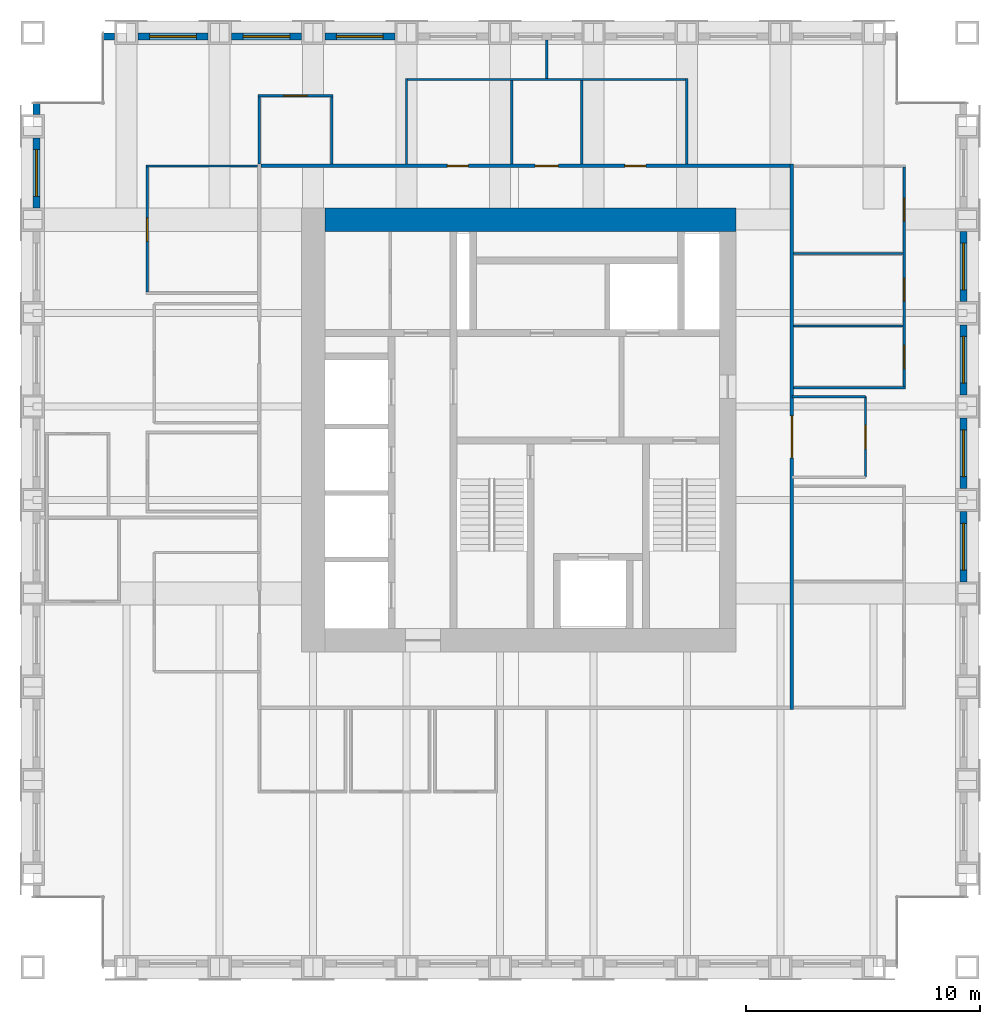
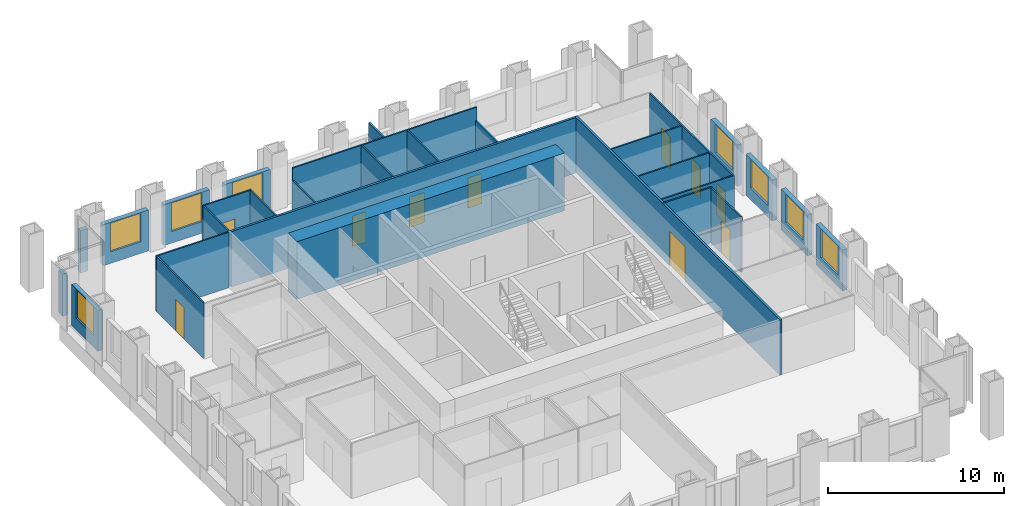
# One storey, part 10 of 13: 30 walls, 10 doors, 8 windows, 18 openings.
"""IFC4 building model written with IfcOpenShell, lengths in metres."""

from ifc_helpers import new_model, si_unit, direction, frame, frame_2d, origin, place, context, subcontext, project, spatial, rectangle, extrude, material, layer, layer_set, type_object, element, fill, save


model = new_model("IFC4")

# Units and contexts
model_context = context("Model", 3, precision=1e-05, world=origin(), true_north=direction((0.0, 1.0)))
body_context = subcontext(model_context, "Body", "Model", "MODEL_VIEW")
ifc_project = project(units=[si_unit("LENGTHUNIT", "METRE"), si_unit("AREAUNIT", "SQUARE_METRE"), si_unit("VOLUMEUNIT", "CUBIC_METRE"), si_unit("PLANEANGLEUNIT", "RADIAN"), si_unit("MASSUNIT", "GRAM", prefix="KILO")], contexts=[model_context])

# Site, building, storey
site_placement = place(None, origin())
site = spatial("IfcSite", under=ifc_project, at=site_placement, CompositionType="ELEMENT")
building_placement = place(site_placement, origin())
building = spatial("IfcBuilding", under=site, at=building_placement, Name="Rimbunsela Tower", CompositionType="ELEMENT")
storey_placement = place(building_placement, frame((0.0, 0.0, 294.199951171875)))
storey = spatial("IfcBuildingStorey", under=building, at=storey_placement, Name="L71", CompositionType="ELEMENT", Elevation=294.199951171875)

# Walls
ifc_material_1 = material(Name="Concrete fc' 80 MPa", Category="concrete")
ifc_layer_1 = layer(ifc_material_1, 1.0)
ifc_layer_set_1 = layer_set([ifc_layer_1], Name="Core wall 1000")
wall_type_1 = type_object("IfcWallType", Name="Core wall 1000", PredefinedType="SHEAR", material=ifc_layer_set_1)
wall_1_placement = place(storey_placement, frame((18.5, 36.0, -0.14990234375), z_axis=(0.0, 0.0, 1.0), x_axis=(1.0, 0.0, 0.0)))
element("IfcWall", 1, at=wall_1_placement, inside=storey, type_object=wall_type_1, Name="Core wall north", PredefinedType="SHEAR", context=body_context, shape_type="SweptSolid", body=[
    extrude(rectangle(XDim=17.60009765625, YDim=1.0, at=frame_2d((8.800048828125, 0.0))), origin(), (0.0, 0.0, 1.0), 4.0),
])
ifc_material_2 = material(Name="Gypsum board on steel studs", Category="steel")
ifc_layer_2 = layer(ifc_material_2, 0.10009765625)
ifc_layer_set_2 = layer_set([ifc_layer_2], Name="Office partition 100")
wall_type_2 = type_object("IfcWallType", Name="Office partition 100", PredefinedType="PARTITIONING", material=ifc_layer_set_2)
wall_2_placement = place(storey_placement, frame((38.574951171875, 28.800048828125, 0.0), z_axis=(0.0, 0.0, 1.0), x_axis=(1.0, 0.0, 0.0)))
element("IfcWall", 2, at=wall_2_placement, inside=storey, type_object=wall_type_2, Name="Office partition", PredefinedType="PARTITIONING", context=body_context, shape_type="SweptSolid", body=[
    extrude(rectangle(XDim=4.775146484375, YDim=0.10009765625, at=frame_2d((2.3876953125, 0.0))), origin(), (0.0, 0.0, 1.0), 3.85009765625),
])
for number, where, z_axis, x_axis, name in (
    (3, (38.574951171875, 31.449951171875, 0.0), (0.0, 0.0, 1.0), (1.0, 0.0, 0.0), "Office partition"),
    (4, (38.574951171875, 34.550048828125, 0.0), (0.0, 0.0, 1.0), (1.0, 0.0, 0.0), "Office partition"),
):
    element("IfcWall", number, at=place(storey_placement, frame(where, z_axis=z_axis, x_axis=x_axis)), inside=storey, type_object=wall_type_2, Name=name, PredefinedType="PARTITIONING", context=body_context, shape_type="SweptSolid", body=[
        extrude(rectangle(XDim=4.675048828125, YDim=0.10009765625, at=frame_2d((2.33740234375, 0.0))), origin(), (0.0, 0.0, 1.0), 3.85009765625),
    ])
wall_3_placement = place(storey_placement, frame((10.85009765625, 38.300048828125, 0.0), z_axis=(0.0, 0.0, 1.0), x_axis=(1.0, 0.0, 0.0)))
element("IfcWall", 5, at=wall_3_placement, inside=storey, type_object=wall_type_2, Name="Office partition", PredefinedType="PARTITIONING", context=body_context, shape_type="SweptSolid", body=[
    extrude(rectangle(XDim=4.77490234375, YDim=0.10009765625, at=frame_2d((2.387451171875, 0.0))), origin(), (0.0, 0.0, 1.0), 3.85009765625),
])

# Wall, opening, door
wall_4_placement = place(storey_placement, frame((15.64990234375, 41.300048828125, 0.0), z_axis=(0.0, 0.0, 1.0), x_axis=(1.0, 0.0, 0.0)))
wall_4 = element("IfcWall", 6, at=wall_4_placement, inside=storey, type_object=wall_type_2, Name="Office partition", PredefinedType="PARTITIONING", context=body_context, shape_type="SweptSolid", body=[
    extrude(rectangle(XDim=3.2001953125, YDim=0.10009765625, at=frame_2d((1.60009765625, 0.0))), origin(), (0.0, 0.0, 1.0), 3.85009765625),
])
opening_1_placement = place(wall_4_placement, frame((1.10009765625, 0.0, 0.0)))
opening_1 = element("IfcOpeningElement", 7, at=opening_1_placement, cuts=wall_4, Name="Opening D16", PredefinedType="OPENING", context=body_context, shape_type="SweptSolid", body=[
    extrude(rectangle(XDim=1.0, YDim=2.199951171875, at=frame_2d((0.5, 1.10009765625))), frame((0.0, 0.06005859375, 0.0), z_axis=(0.0, -1.0, 0.0), x_axis=(1.0, 0.0, 0.0)), (0.0, 0.0, 1.0), 0.1201171875),
])
ifc_material_3 = material(Name="Timber door", Category="wood")
door_type_1 = type_object("IfcDoorType", Name="Office door 1000", OperationType="SINGLE_SWING_LEFT", PredefinedType="DOOR", material=ifc_material_3)
door_1_placement = place(opening_1_placement, origin())
door_1 = element("IfcDoor", 8, at=door_1_placement, inside=storey, type_object=door_type_1, Name="Office door", OperationType="SINGLE_SWING_LEFT", OverallHeight=2.199951171875, OverallWidth=1.0, PredefinedType="DOOR", context=body_context, shape_type="SweptSolid", body=[
    extrude(rectangle(XDim=1.0, YDim=2.199951171875, at=frame_2d((0.5, 1.10009765625))), frame((0.0, 0.02490234375, 0.0), z_axis=(0.0, -1.0, 0.0), x_axis=(1.0, 0.0, 0.0)), (0.0, 0.0, 1.0), 0.050048828125),
])
fill(opening_1, door_1)

wall_5_placement = place(storey_placement, frame((10.89990234375, 32.89990234375, 0.0), z_axis=(0.0, 0.0, 1.0), x_axis=(0.0, 1.0, 0.0)))
wall_5 = element("IfcWall", 9, at=wall_5_placement, inside=storey, type_object=wall_type_2, Name="Office partition", PredefinedType="PARTITIONING", context=body_context, shape_type="SweptSolid", body=[
    extrude(rectangle(XDim=5.35009765625, YDim=0.10009765625, at=frame_2d((2.675048828125, 0.0))), origin(), (0.0, 0.0, 1.0), 3.85009765625),
])
opening_2_placement = place(wall_5_placement, frame((2.175048828125, 0.0, 0.0)))
opening_2 = element("IfcOpeningElement", 10, at=opening_2_placement, cuts=wall_5, Name="Opening D17", PredefinedType="OPENING", context=body_context, shape_type="SweptSolid", body=[
    extrude(rectangle(XDim=1.0, YDim=2.199951171875, at=frame_2d((0.5, 1.10009765625))), frame((0.0, 0.06005859375, 0.0), z_axis=(0.0, -1.0, 0.0), x_axis=(1.0, 0.0, 0.0)), (0.0, 0.0, 1.0), 0.1201171875),
])
ifc_material_4 = material(Name="Glazed aluminium door", Category="aluminium")
door_type_2 = type_object("IfcDoorType", Name="Meeting room door 1000 glazed", OperationType="SINGLE_SWING_RIGHT", PredefinedType="DOOR", material=ifc_material_4)
door_2_placement = place(opening_2_placement, origin())
door_2 = element("IfcDoor", 11, at=door_2_placement, inside=storey, type_object=door_type_2, Name="Meeting room door", OperationType="SINGLE_SWING_RIGHT", OverallHeight=2.199951171875, OverallWidth=1.0, PredefinedType="DOOR", context=body_context, shape_type="SweptSolid", body=[
    extrude(rectangle(XDim=1.0, YDim=2.199951171875, at=frame_2d((0.5, 1.10009765625))), frame((0.0, 0.02490234375, 0.0), z_axis=(0.0, -1.0, 0.0), x_axis=(1.0, 0.0, 0.0)), (0.0, 0.0, 1.0), 0.050048828125),
])
fill(opening_2, door_2)

# Walls
for number, where, z_axis, x_axis, name in (
    (12, (15.699951171875, 38.375, 0.0), (0.0, 0.0, 1.0), (0.0, 1.0, 0.0), "Office partition"),
    (13, (18.800048828125, 38.375, 0.0), (0.0, 0.0, 1.0), (0.0, 1.0, 0.0), "Office partition"),
):
    element("IfcWall", number, at=place(storey_placement, frame(where, z_axis=z_axis, x_axis=x_axis)), inside=storey, type_object=wall_type_2, Name=name, PredefinedType="PARTITIONING", context=body_context, shape_type="SweptSolid", body=[
        extrude(rectangle(XDim=2.875, YDim=0.10009765625, at=frame_2d((1.4375, 0.0))), origin(), (0.0, 0.0, 1.0), 3.85009765625),
    ])

# Wall, openings, doors
wall_6_placement = place(storey_placement, frame((43.300048828125, 28.85009765625, 0.0), z_axis=(0.0, 0.0, 1.0), x_axis=(0.0, 1.0, 0.0)))
wall_6 = element("IfcWall", 14, at=wall_6_placement, inside=storey, type_object=wall_type_2, Name="Office partition", PredefinedType="PARTITIONING", context=body_context, shape_type="SweptSolid", body=[
    extrude(rectangle(XDim=9.39990234375, YDim=0.10009765625, at=frame_2d((4.699951171875, 0.0))), origin(), (0.0, 0.0, 1.0), 3.85009765625),
])
opening_3_placement = place(wall_6_placement, frame((0.77490234375, 0.0, 0.0)))
opening_3 = element("IfcOpeningElement", 15, at=opening_3_placement, cuts=wall_6, Name="Opening D16", PredefinedType="OPENING", context=body_context, shape_type="SweptSolid", body=[
    extrude(rectangle(XDim=1.0, YDim=2.199951171875, at=frame_2d((0.5, 1.10009765625))), frame((0.0, 0.06005859375, 0.0), z_axis=(0.0, -1.0, 0.0), x_axis=(1.0, 0.0, 0.0)), (0.0, 0.0, 1.0), 0.1201171875),
])
opening_4_placement = place(wall_6_placement, frame((3.64990234375, 0.0, 0.0)))
opening_4 = element("IfcOpeningElement", 16, at=opening_4_placement, cuts=wall_6, Name="Opening D16", PredefinedType="OPENING", context=body_context, shape_type="SweptSolid", body=[
    extrude(rectangle(XDim=1.0, YDim=2.199951171875, at=frame_2d((0.5, 1.10009765625))), frame((0.0, 0.06005859375, 0.0), z_axis=(0.0, -1.0, 0.0), x_axis=(1.0, 0.0, 0.0)), (0.0, 0.0, 1.0), 0.1201171875),
])
opening_5_placement = place(wall_6_placement, frame((7.074951171875, 0.0, 0.0)))
opening_5 = element("IfcOpeningElement", 17, at=opening_5_placement, cuts=wall_6, Name="Opening D17", PredefinedType="OPENING", context=body_context, shape_type="SweptSolid", body=[
    extrude(rectangle(XDim=1.0, YDim=2.199951171875, at=frame_2d((0.5, 1.10009765625))), frame((0.0, 0.06005859375, 0.0), z_axis=(0.0, -1.0, 0.0), x_axis=(1.0, 0.0, 0.0)), (0.0, 0.0, 1.0), 0.1201171875),
])
door_3_placement = place(opening_5_placement, origin())
door_3 = element("IfcDoor", 18, at=door_3_placement, inside=storey, type_object=door_type_2, Name="Meeting room door", OperationType="SINGLE_SWING_RIGHT", OverallHeight=2.199951171875, OverallWidth=1.0, PredefinedType="DOOR", context=body_context, shape_type="SweptSolid", body=[
    extrude(rectangle(XDim=1.0, YDim=2.199951171875, at=frame_2d((0.5, 1.10009765625))), frame((0.0, 0.02490234375, 0.0), z_axis=(0.0, -1.0, 0.0), x_axis=(1.0, 0.0, 0.0)), (0.0, 0.0, 1.0), 0.050048828125),
])
fill(opening_5, door_3)
door_4_placement = place(opening_3_placement, origin())
door_4 = element("IfcDoor", 19, at=door_4_placement, inside=storey, type_object=door_type_1, Name="Office door", OperationType="SINGLE_SWING_LEFT", OverallHeight=2.199951171875, OverallWidth=1.0, PredefinedType="DOOR", context=body_context, shape_type="SweptSolid", body=[
    extrude(rectangle(XDim=1.0, YDim=2.199951171875, at=frame_2d((0.5, 1.10009765625))), frame((0.0, 0.02490234375, 0.0), z_axis=(0.0, -1.0, 0.0), x_axis=(1.0, 0.0, 0.0)), (0.0, 0.0, 1.0), 0.050048828125),
])
fill(opening_3, door_4)
door_5_placement = place(opening_4_placement, origin())
door_5 = element("IfcDoor", 20, at=door_5_placement, inside=storey, type_object=door_type_1, Name="Office door", OperationType="SINGLE_SWING_LEFT", OverallHeight=2.199951171875, OverallWidth=1.0, PredefinedType="DOOR", context=body_context, shape_type="SweptSolid", body=[
    extrude(rectangle(XDim=1.0, YDim=2.199951171875, at=frame_2d((0.5, 1.10009765625))), frame((0.0, 0.02490234375, 0.0), z_axis=(0.0, -1.0, 0.0), x_axis=(1.0, 0.0, 0.0)), (0.0, 0.0, 1.0), 0.050048828125),
])
fill(opening_4, door_5)

# Wall, opening, door
wall_7_placement = place(storey_placement, frame((41.64990234375, 24.97509765625, 0.0), z_axis=(0.0, 0.0, 1.0), x_axis=(0.0, 1.0, 0.0)))
wall_7 = element("IfcWall", 21, at=wall_7_placement, inside=storey, type_object=wall_type_2, Name="Office partition", PredefinedType="PARTITIONING", context=body_context, shape_type="SweptSolid", body=[
    extrude(rectangle(XDim=3.449951171875, YDim=0.10009765625, at=frame_2d((1.72509765625, 0.0))), origin(), (0.0, 0.0, 1.0), 3.85009765625),
])
opening_6_placement = place(wall_7_placement, frame((1.22509765625, 0.0, 0.0)))
opening_6 = element("IfcOpeningElement", 22, at=opening_6_placement, cuts=wall_7, Name="Opening D17", PredefinedType="OPENING", context=body_context, shape_type="SweptSolid", body=[
    extrude(rectangle(XDim=1.0, YDim=2.199951171875, at=frame_2d((0.5, 1.10009765625))), frame((0.0, 0.06005859375, 0.0), z_axis=(0.0, -1.0, 0.0), x_axis=(1.0, 0.0, 0.0)), (0.0, 0.0, 1.0), 0.1201171875),
])
door_6_placement = place(opening_6_placement, origin())
door_6 = element("IfcDoor", 23, at=door_6_placement, inside=storey, type_object=door_type_2, Name="Reception door", OperationType="SINGLE_SWING_RIGHT", OverallHeight=2.199951171875, OverallWidth=1.0, PredefinedType="DOOR", context=body_context, shape_type="SweptSolid", body=[
    extrude(rectangle(XDim=1.0, YDim=2.199951171875, at=frame_2d((0.5, 1.10009765625))), frame((0.0, 0.02490234375, 0.0), z_axis=(0.0, -1.0, 0.0), x_axis=(1.0, 0.0, 0.0)), (0.0, 0.0, 1.0), 0.050048828125),
])
fill(opening_6, door_6)

# Wall
wall_8_placement = place(storey_placement, frame((41.64990234375, 28.425048828125, 0.0), z_axis=(0.0, 0.0, 1.0), x_axis=(-1.0, 0.0, 0.0)))
element("IfcWall", 24, at=wall_8_placement, inside=storey, type_object=wall_type_2, Name="Office partition", PredefinedType="PARTITIONING", context=body_context, shape_type="SweptSolid", body=[
    extrude(rectangle(XDim=3.14990234375, YDim=0.10009765625, at=frame_2d((1.574951171875, 0.0))), origin(), (0.0, 0.0, 1.0), 3.85009765625),
])

# Wall, opening, window
ifc_material_5 = material(Name="Precast concrete fc' 35 MPa", Category="concrete")
ifc_layer_3 = layer(ifc_material_5, 0.300048828125)
ifc_layer_set_3 = layer_set([ifc_layer_3], Name="Precast concrete fc' 35 MPa")
wall_type_3 = type_object("IfcWallType", Name="Precast facade panel 300", PredefinedType="ELEMENTEDWALL", material=ifc_layer_set_3)
wall_9_placement = place(storey_placement, frame((45.85009765625, 20.5, 0.0), z_axis=(0.0, 0.0, 1.0), x_axis=(0.0, 1.0, 0.0)))
wall_9 = element("IfcWall", 25, at=wall_9_placement, inside=storey, type_object=wall_type_3, Name="Facade panel E L71", PredefinedType="ELEMENTEDWALL", context=body_context, shape_type="SweptSolid", body=[
    extrude(rectangle(XDim=3.0, YDim=0.300048828125, at=frame_2d((1.5, 0.0))), origin(), (0.0, 0.0, 1.0), 2.85009765625),
])
opening_7_placement = place(wall_9_placement, frame((0.5, 0.0, 0.800048828125)))
opening_7 = element("IfcOpeningElement", 26, at=opening_7_placement, cuts=wall_9, Name="Opening W1", PredefinedType="OPENING", context=body_context, shape_type="SweptSolid", body=[
    extrude(rectangle(XDim=2.0, YDim=2.0, at=frame_2d((1.0, 1.0))), frame((0.0, 0.159912109375, 0.0), z_axis=(0.0, -1.0, 0.0), x_axis=(1.0, 0.0, 0.0)), (0.0, 0.0, 1.0), 0.320068359375),
])
ifc_material_6 = material(Name="Clear glass in aluminium frame", Category="aluminium")
window_type = type_object("IfcWindowType", Name="Window W1 2000x2000", PartitioningType="DOUBLE_PANEL_VERTICAL", PredefinedType="WINDOW", material=ifc_material_6)
window_1_placement = place(opening_7_placement, origin())
window_1 = element("IfcWindow", 27, at=window_1_placement, inside=storey, type_object=window_type, Name="Window L71", OverallHeight=2.0, OverallWidth=2.0, PartitioningType="SINGLE_PANEL", PredefinedType="WINDOW", context=body_context, shape_type="SweptSolid", body=[
    extrude(rectangle(XDim=2.0, YDim=2.0, at=frame_2d((1.0, 1.0))), frame((0.0, 0.030029296875, 0.0), z_axis=(0.0, -1.0, 0.0), x_axis=(1.0, 0.0, 0.0)), (0.0, 0.0, 1.0), 0.06005859375),
])
fill(opening_7, window_1)

wall_10_placement = place(storey_placement, frame((45.85009765625, 24.5, 0.0), z_axis=(0.0, 0.0, 1.0), x_axis=(0.0, 1.0, 0.0)))
wall_10 = element("IfcWall", 28, at=wall_10_placement, inside=storey, type_object=wall_type_3, Name="Facade panel E L71", PredefinedType="ELEMENTEDWALL", context=body_context, shape_type="SweptSolid", body=[
    extrude(rectangle(XDim=3.0, YDim=0.300048828125, at=frame_2d((1.5, 0.0))), origin(), (0.0, 0.0, 1.0), 2.85009765625),
])
opening_8_placement = place(wall_10_placement, frame((0.5, 0.0, 0.800048828125)))
opening_8 = element("IfcOpeningElement", 29, at=opening_8_placement, cuts=wall_10, Name="Opening W1", PredefinedType="OPENING", context=body_context, shape_type="SweptSolid", body=[
    extrude(rectangle(XDim=2.0, YDim=2.0, at=frame_2d((1.0, 1.0))), frame((0.0, 0.159912109375, 0.0), z_axis=(0.0, -1.0, 0.0), x_axis=(1.0, 0.0, 0.0)), (0.0, 0.0, 1.0), 0.320068359375),
])
window_2_placement = place(opening_8_placement, origin())
window_2 = element("IfcWindow", 30, at=window_2_placement, inside=storey, type_object=window_type, Name="Window L71", OverallHeight=2.0, OverallWidth=2.0, PartitioningType="SINGLE_PANEL", PredefinedType="WINDOW", context=body_context, shape_type="SweptSolid", body=[
    extrude(rectangle(XDim=2.0, YDim=2.0, at=frame_2d((1.0, 1.0))), frame((0.0, 0.030029296875, 0.0), z_axis=(0.0, -1.0, 0.0), x_axis=(1.0, 0.0, 0.0)), (0.0, 0.0, 1.0), 0.06005859375),
])
fill(opening_8, window_2)

wall_11_placement = place(storey_placement, frame((45.85009765625, 28.5, 0.0), z_axis=(0.0, 0.0, 1.0), x_axis=(0.0, 1.0, 0.0)))
wall_11 = element("IfcWall", 31, at=wall_11_placement, inside=storey, type_object=wall_type_3, Name="Facade panel E L71", PredefinedType="ELEMENTEDWALL", context=body_context, shape_type="SweptSolid", body=[
    extrude(rectangle(XDim=3.0, YDim=0.300048828125, at=frame_2d((1.5, 0.0))), origin(), (0.0, 0.0, 1.0), 2.85009765625),
])
opening_9_placement = place(wall_11_placement, frame((0.5, 0.0, 0.800048828125)))
opening_9 = element("IfcOpeningElement", 32, at=opening_9_placement, cuts=wall_11, Name="Opening W1", PredefinedType="OPENING", context=body_context, shape_type="SweptSolid", body=[
    extrude(rectangle(XDim=2.0, YDim=2.0, at=frame_2d((1.0, 1.0))), frame((0.0, 0.159912109375, 0.0), z_axis=(0.0, -1.0, 0.0), x_axis=(1.0, 0.0, 0.0)), (0.0, 0.0, 1.0), 0.320068359375),
])
window_3_placement = place(opening_9_placement, origin())
window_3 = element("IfcWindow", 33, at=window_3_placement, inside=storey, type_object=window_type, Name="Window L71", OverallHeight=2.0, OverallWidth=2.0, PartitioningType="SINGLE_PANEL", PredefinedType="WINDOW", context=body_context, shape_type="SweptSolid", body=[
    extrude(rectangle(XDim=2.0, YDim=2.0, at=frame_2d((1.0, 1.0))), frame((0.0, 0.030029296875, 0.0), z_axis=(0.0, -1.0, 0.0), x_axis=(1.0, 0.0, 0.0)), (0.0, 0.0, 1.0), 0.06005859375),
])
fill(opening_9, window_3)

wall_12_placement = place(storey_placement, frame((45.85009765625, 32.5, 0.0), z_axis=(0.0, 0.0, 1.0), x_axis=(0.0, 1.0, 0.0)))
wall_12 = element("IfcWall", 34, at=wall_12_placement, inside=storey, type_object=wall_type_3, Name="Facade panel E L71", PredefinedType="ELEMENTEDWALL", context=body_context, shape_type="SweptSolid", body=[
    extrude(rectangle(XDim=3.0, YDim=0.300048828125, at=frame_2d((1.5, 0.0))), origin(), (0.0, 0.0, 1.0), 2.85009765625),
])
opening_10_placement = place(wall_12_placement, frame((0.5, 0.0, 0.800048828125)))
opening_10 = element("IfcOpeningElement", 35, at=opening_10_placement, cuts=wall_12, Name="Opening W1", PredefinedType="OPENING", context=body_context, shape_type="SweptSolid", body=[
    extrude(rectangle(XDim=2.0, YDim=2.0, at=frame_2d((1.0, 1.0))), frame((0.0, 0.159912109375, 0.0), z_axis=(0.0, -1.0, 0.0), x_axis=(1.0, 0.0, 0.0)), (0.0, 0.0, 1.0), 0.320068359375),
])
window_4_placement = place(opening_10_placement, origin())
window_4 = element("IfcWindow", 36, at=window_4_placement, inside=storey, type_object=window_type, Name="Window L71", OverallHeight=2.0, OverallWidth=2.0, PartitioningType="SINGLE_PANEL", PredefinedType="WINDOW", context=body_context, shape_type="SweptSolid", body=[
    extrude(rectangle(XDim=2.0, YDim=2.0, at=frame_2d((1.0, 1.0))), frame((0.0, 0.030029296875, 0.0), z_axis=(0.0, -1.0, 0.0), x_axis=(1.0, 0.0, 0.0)), (0.0, 0.0, 1.0), 0.06005859375),
])
fill(opening_10, window_4)

# Wall
wall_13_placement = place(storey_placement, frame((9.5, 43.85009765625, 0.0), z_axis=(0.0, 0.0, 1.0), x_axis=(-1.0, 0.0, 0.0)))
element("IfcWall", 37, at=wall_13_placement, inside=storey, type_object=wall_type_3, Name="Facade panel N L71", PredefinedType="ELEMENTEDWALL", context=body_context, shape_type="SweptSolid", body=[
    extrude(rectangle(XDim=0.469970703125, YDim=0.300048828125, at=frame_2d((0.23486328125, 0.0))), origin(), (0.0, 0.0, 1.0), 2.949951171875),
])

# Wall, opening, window
wall_14_placement = place(storey_placement, frame((13.5, 43.85009765625, 0.0), z_axis=(0.0, 0.0, 1.0), x_axis=(-1.0, 0.0, 0.0)))
wall_14 = element("IfcWall", 38, at=wall_14_placement, inside=storey, type_object=wall_type_3, Name="Facade panel N L71", PredefinedType="ELEMENTEDWALL", context=body_context, shape_type="SweptSolid", body=[
    extrude(rectangle(XDim=3.0, YDim=0.300048828125, at=frame_2d((1.5, 0.0))), origin(), (0.0, 0.0, 1.0), 2.85009765625),
])
opening_11_placement = place(wall_14_placement, frame((0.5, 0.0, 0.800048828125)))
opening_11 = element("IfcOpeningElement", 39, at=opening_11_placement, cuts=wall_14, Name="Opening W1", PredefinedType="OPENING", context=body_context, shape_type="SweptSolid", body=[
    extrude(rectangle(XDim=2.0, YDim=2.0, at=frame_2d((1.0, 1.0))), frame((0.0, 0.159912109375, 0.0), z_axis=(0.0, -1.0, 0.0), x_axis=(1.0, 0.0, 0.0)), (0.0, 0.0, 1.0), 0.320068359375),
])
window_5_placement = place(opening_11_placement, origin())
window_5 = element("IfcWindow", 40, at=window_5_placement, inside=storey, type_object=window_type, Name="Window L71", OverallHeight=2.0, OverallWidth=2.0, PartitioningType="SINGLE_PANEL", PredefinedType="WINDOW", context=body_context, shape_type="SweptSolid", body=[
    extrude(rectangle(XDim=2.0, YDim=2.0, at=frame_2d((1.0, 1.0))), frame((0.0, 0.030029296875, 0.0), z_axis=(0.0, -1.0, 0.0), x_axis=(1.0, 0.0, 0.0)), (0.0, 0.0, 1.0), 0.06005859375),
])
fill(opening_11, window_5)

wall_15_placement = place(storey_placement, frame((17.5, 43.85009765625, 0.0), z_axis=(0.0, 0.0, 1.0), x_axis=(-1.0, 0.0, 0.0)))
wall_15 = element("IfcWall", 41, at=wall_15_placement, inside=storey, type_object=wall_type_3, Name="Facade panel N L71", PredefinedType="ELEMENTEDWALL", context=body_context, shape_type="SweptSolid", body=[
    extrude(rectangle(XDim=3.0, YDim=0.300048828125, at=frame_2d((1.5, 0.0))), origin(), (0.0, 0.0, 1.0), 2.85009765625),
])
opening_12_placement = place(wall_15_placement, frame((0.5, 0.0, 0.800048828125)))
opening_12 = element("IfcOpeningElement", 42, at=opening_12_placement, cuts=wall_15, Name="Opening W1", PredefinedType="OPENING", context=body_context, shape_type="SweptSolid", body=[
    extrude(rectangle(XDim=2.0, YDim=2.0, at=frame_2d((1.0, 1.0))), frame((0.0, 0.159912109375, 0.0), z_axis=(0.0, -1.0, 0.0), x_axis=(1.0, 0.0, 0.0)), (0.0, 0.0, 1.0), 0.320068359375),
])
window_6_placement = place(opening_12_placement, origin())
window_6 = element("IfcWindow", 43, at=window_6_placement, inside=storey, type_object=window_type, Name="Window L71", OverallHeight=2.0, OverallWidth=2.0, PartitioningType="SINGLE_PANEL", PredefinedType="WINDOW", context=body_context, shape_type="SweptSolid", body=[
    extrude(rectangle(XDim=2.0, YDim=2.0, at=frame_2d((1.0, 1.0))), frame((0.0, 0.030029296875, 0.0), z_axis=(0.0, -1.0, 0.0), x_axis=(1.0, 0.0, 0.0)), (0.0, 0.0, 1.0), 0.06005859375),
])
fill(opening_12, window_6)

wall_16_placement = place(storey_placement, frame((21.5, 43.85009765625, 0.0), z_axis=(0.0, 0.0, 1.0), x_axis=(-1.0, 0.0, 0.0)))
wall_16 = element("IfcWall", 44, at=wall_16_placement, inside=storey, type_object=wall_type_3, Name="Facade panel N L71", PredefinedType="ELEMENTEDWALL", context=body_context, shape_type="SweptSolid", body=[
    extrude(rectangle(XDim=3.0, YDim=0.300048828125, at=frame_2d((1.5, 0.0))), origin(), (0.0, 0.0, 1.0), 2.85009765625),
])
opening_13_placement = place(wall_16_placement, frame((0.5, 0.0, 0.800048828125)))
opening_13 = element("IfcOpeningElement", 45, at=opening_13_placement, cuts=wall_16, Name="Opening W1", PredefinedType="OPENING", context=body_context, shape_type="SweptSolid", body=[
    extrude(rectangle(XDim=2.0, YDim=2.0, at=frame_2d((1.0, 1.0))), frame((0.0, 0.159912109375, 0.0), z_axis=(0.0, -1.0, 0.0), x_axis=(1.0, 0.0, 0.0)), (0.0, 0.0, 1.0), 0.320068359375),
])
window_7_placement = place(opening_13_placement, origin())
window_7 = element("IfcWindow", 46, at=window_7_placement, inside=storey, type_object=window_type, Name="Window L71", OverallHeight=2.0, OverallWidth=2.0, PartitioningType="SINGLE_PANEL", PredefinedType="WINDOW", context=body_context, shape_type="SweptSolid", body=[
    extrude(rectangle(XDim=2.0, YDim=2.0, at=frame_2d((1.0, 1.0))), frame((0.0, 0.030029296875, 0.0), z_axis=(0.0, -1.0, 0.0), x_axis=(1.0, 0.0, 0.0)), (0.0, 0.0, 1.0), 0.06005859375),
])
fill(opening_13, window_7)

wall_17_placement = place(storey_placement, frame((6.14990234375, 39.5, 0.0), z_axis=(0.0, 0.0, 1.0), x_axis=(0.0, -1.0, 0.0)))
wall_17 = element("IfcWall", 47, at=wall_17_placement, inside=storey, type_object=wall_type_3, Name="Facade panel W L71", PredefinedType="ELEMENTEDWALL", context=body_context, shape_type="SweptSolid", body=[
    extrude(rectangle(XDim=3.0, YDim=0.300048828125, at=frame_2d((1.5, 0.0))), origin(), (0.0, 0.0, 1.0), 2.85009765625),
])
opening_14_placement = place(wall_17_placement, frame((0.5, 0.0, 0.800048828125)))
opening_14 = element("IfcOpeningElement", 48, at=opening_14_placement, cuts=wall_17, Name="Opening W1", PredefinedType="OPENING", context=body_context, shape_type="SweptSolid", body=[
    extrude(rectangle(XDim=2.0, YDim=2.0, at=frame_2d((1.0, 1.0))), frame((0.0, 0.159912109375, 0.0), z_axis=(0.0, -1.0, 0.0), x_axis=(1.0, 0.0, 0.0)), (0.0, 0.0, 1.0), 0.320068359375),
])
window_8_placement = place(opening_14_placement, origin())
window_8 = element("IfcWindow", 49, at=window_8_placement, inside=storey, type_object=window_type, Name="Window L71", OverallHeight=2.0, OverallWidth=2.0, PartitioningType="SINGLE_PANEL", PredefinedType="WINDOW", context=body_context, shape_type="SweptSolid", body=[
    extrude(rectangle(XDim=2.0, YDim=2.0, at=frame_2d((1.0, 1.0))), frame((0.0, 0.030029296875, 0.0), z_axis=(0.0, -1.0, 0.0), x_axis=(1.0, 0.0, 0.0)), (0.0, 0.0, 1.0), 0.06005859375),
])
fill(opening_14, window_8)

# Wall
wall_18_placement = place(storey_placement, frame((6.14990234375, 40.969970703125, 0.0), z_axis=(0.0, 0.0, 1.0), x_axis=(0.0, -1.0, 0.0)))
element("IfcWall", 50, at=wall_18_placement, inside=storey, type_object=wall_type_3, Name="Facade panel W L71", PredefinedType="ELEMENTEDWALL", context=body_context, shape_type="SweptSolid", body=[
    extrude(rectangle(XDim=0.469970703125, YDim=0.300048828125, at=frame_2d((0.23486328125, 0.0))), origin(), (0.0, 0.0, 1.0), 2.949951171875),
])

# Wall, opening, door
ifc_material_7 = material(Name="Fire-rated gypsum board on steel studs, EI 60", Category="steel")
ifc_layer_4 = layer(ifc_material_7, 0.14990234375)
ifc_layer_set_4 = layer_set([ifc_layer_4], Name="Rated corridor wall 150")
wall_type_4 = type_object("IfcWallType", Name="Rated corridor wall 150", PredefinedType="PARTITIONING", material=ifc_layer_set_4)
wall_19_placement = place(storey_placement, frame((38.5, 15.02490234375, 0.0), z_axis=(0.0, 0.0, 1.0), x_axis=(0.0, 1.0, 0.0)))
wall_19 = element("IfcWall", 51, at=wall_19_placement, inside=storey, type_object=wall_type_4, Name="Corridor wall east", PredefinedType="PARTITIONING", context=body_context, shape_type="SweptSolid", body=[
    extrude(rectangle(XDim=23.35009765625, YDim=0.14990234375, at=frame_2d((11.675048828125, 0.0))), origin(), (0.0, 0.0, 1.0), 3.85009765625),
])
opening_15_placement = place(wall_19_placement, frame((10.77490234375, 0.0, 0.0)))
opening_15 = element("IfcOpeningElement", 52, at=opening_15_placement, cuts=wall_19, Name="Opening D09", PredefinedType="OPENING", context=body_context, shape_type="SweptSolid", body=[
    extrude(rectangle(XDim=1.800048828125, YDim=2.39990234375, at=frame_2d((0.89990234375, 1.199951171875))), frame((0.0, 0.0849609375, 0.0), z_axis=(0.0, -1.0, 0.0), x_axis=(1.0, 0.0, 0.0)), (0.0, 0.0, 1.0), 0.169921875),
])
ifc_material_8 = material(Name="Glazed aluminium door, fire rated", Category="aluminium")
door_type_3 = type_object("IfcDoorType", Name="Tenancy door 1800 glazed", OperationType="DOUBLE_DOOR_DOUBLE_SWING", PredefinedType="DOOR", material=ifc_material_8)
door_7_placement = place(opening_15_placement, origin())
door_7 = element("IfcDoor", 53, at=door_7_placement, inside=storey, type_object=door_type_3, Name="Tenancy door", OperationType="DOUBLE_DOOR_DOUBLE_SWING", OverallHeight=2.39990234375, OverallWidth=1.800048828125, PredefinedType="DOOR", context=body_context, shape_type="SweptSolid", body=[
    extrude(rectangle(XDim=1.800048828125, YDim=2.39990234375, at=frame_2d((0.89990234375, 1.199951171875))), frame((0.0, 0.02490234375, 0.0), z_axis=(0.0, -1.0, 0.0), x_axis=(1.0, 0.0, 0.0)), (0.0, 0.0, 1.0), 0.050048828125),
])
fill(opening_15, door_7)

# Wall, openings, doors
wall_20_placement = place(storey_placement, frame((15.77490234375, 38.300048828125, 0.0), z_axis=(0.0, 0.0, 1.0), x_axis=(1.0, 0.0, 0.0)))
wall_20 = element("IfcWall", 54, at=wall_20_placement, inside=storey, type_object=wall_type_4, Name="Corridor wall north", PredefinedType="PARTITIONING", context=body_context, shape_type="SweptSolid", body=[
    extrude(rectangle(XDim=22.650146484375, YDim=0.14990234375, at=frame_2d((11.3251953125, 0.0))), origin(), (0.0, 0.0, 1.0), 3.85009765625),
])
opening_16_placement = place(wall_20_placement, frame((7.97509765625, 0.0, 0.0)))
opening_16 = element("IfcOpeningElement", 55, at=opening_16_placement, cuts=wall_20, Name="Opening D04", PredefinedType="OPENING", context=body_context, shape_type="SweptSolid", body=[
    extrude(rectangle(XDim=0.89990234375, YDim=2.10009765625, at=frame_2d((0.449951171875, 1.050048828125))), frame((0.0, 0.0849609375, 0.0), z_axis=(0.0, -1.0, 0.0), x_axis=(1.0, 0.0, 0.0)), (0.0, 0.0, 1.0), 0.169921875),
])
opening_17_placement = place(wall_20_placement, frame((11.72509765625, 0.0, 0.0)))
opening_17 = element("IfcOpeningElement", 56, at=opening_17_placement, cuts=wall_20, Name="Opening D05", PredefinedType="OPENING", context=body_context, shape_type="SweptSolid", body=[
    extrude(rectangle(XDim=1.0, YDim=2.10009765625, at=frame_2d((0.5, 1.050048828125))), frame((0.0, 0.0849609375, 0.0), z_axis=(0.0, -1.0, 0.0), x_axis=(1.0, 0.0, 0.0)), (0.0, 0.0, 1.0), 0.169921875),
])
opening_18_placement = place(wall_20_placement, frame((15.574951171875, 0.0, 0.0)))
opening_18 = element("IfcOpeningElement", 57, at=opening_18_placement, cuts=wall_20, Name="Opening D04", PredefinedType="OPENING", context=body_context, shape_type="SweptSolid", body=[
    extrude(rectangle(XDim=0.89990234375, YDim=2.10009765625, at=frame_2d((0.449951171875, 1.050048828125))), frame((0.0, 0.0849609375, 0.0), z_axis=(0.0, -1.0, 0.0), x_axis=(1.0, 0.0, 0.0)), (0.0, 0.0, 1.0), 0.169921875),
])
ifc_material_9 = material(Name="Timber door", Category="wood")
door_type_4 = type_object("IfcDoorType", Name="Accessible WC door 1000", OperationType="SLIDING_TO_LEFT", PredefinedType="DOOR", material=ifc_material_9)
door_8_placement = place(opening_17_placement, origin())
door_8 = element("IfcDoor", 58, at=door_8_placement, inside=storey, type_object=door_type_4, Name="Accessible WC door", OperationType="SLIDING_TO_LEFT", OverallHeight=2.10009765625, OverallWidth=1.0, PredefinedType="DOOR", context=body_context, shape_type="SweptSolid", body=[
    extrude(rectangle(XDim=1.0, YDim=2.10009765625, at=frame_2d((0.5, 1.050048828125))), frame((0.0, 0.02490234375, 0.0), z_axis=(0.0, -1.0, 0.0), x_axis=(1.0, 0.0, 0.0)), (0.0, 0.0, 1.0), 0.050048828125),
])
fill(opening_17, door_8)
ifc_material_10 = material(Name="Timber door", Category="wood")
door_type_5 = type_object("IfcDoorType", Name="Toilet door 900", OperationType="SINGLE_SWING_LEFT", PredefinedType="DOOR", material=ifc_material_10)
door_9_placement = place(opening_16_placement, origin())
door_9 = element("IfcDoor", 59, at=door_9_placement, inside=storey, type_object=door_type_5, Name="Female WC door", OperationType="SINGLE_SWING_LEFT", OverallHeight=2.10009765625, OverallWidth=0.89990234375, PredefinedType="DOOR", context=body_context, shape_type="SweptSolid", body=[
    extrude(rectangle(XDim=0.89990234375, YDim=2.10009765625, at=frame_2d((0.449951171875, 1.050048828125))), frame((0.0, 0.02490234375, 0.0), z_axis=(0.0, -1.0, 0.0), x_axis=(1.0, 0.0, 0.0)), (0.0, 0.0, 1.0), 0.050048828125),
])
fill(opening_16, door_9)
door_10_placement = place(opening_18_placement, origin())
door_10 = element("IfcDoor", 60, at=door_10_placement, inside=storey, type_object=door_type_5, Name="Male WC door", OperationType="SINGLE_SWING_LEFT", OverallHeight=2.10009765625, OverallWidth=0.89990234375, PredefinedType="DOOR", context=body_context, shape_type="SweptSolid", body=[
    extrude(rectangle(XDim=0.89990234375, YDim=2.10009765625, at=frame_2d((0.449951171875, 1.050048828125))), frame((0.0, 0.02490234375, 0.0), z_axis=(0.0, -1.0, 0.0), x_axis=(1.0, 0.0, 0.0)), (0.0, 0.0, 1.0), 0.050048828125),
])
fill(opening_18, door_10)

# Walls
ifc_material_11 = material(Name="Gypsum board on steel studs", Category="steel")
ifc_layer_5 = layer(ifc_material_11, 0.1201171875)
ifc_layer_set_5 = layer_set([ifc_layer_5], Name="Tenancy partition 120")
wall_type_5 = type_object("IfcWallType", Name="Tenancy partition 120", PredefinedType="PARTITIONING", material=ifc_layer_set_5)
wall_21_placement = place(storey_placement, frame((28.0, 42.050048828125, 0.0), z_axis=(0.0, 0.0, 1.0), x_axis=(0.0, 1.0, 0.0)))
element("IfcWall", 61, at=wall_21_placement, inside=storey, type_object=wall_type_5, Name="Tenancy partition north", PredefinedType="PARTITIONING", context=body_context, shape_type="SweptSolid", body=[
    extrude(rectangle(XDim=1.64990234375, YDim=0.1201171875, at=frame_2d((0.824951171875, 0.0))), origin(), (0.0, 0.0, 1.0), 3.85009765625),
])
ifc_material_12 = material(Name="Concrete blockwork", Category="masonry")
ifc_layer_6 = layer(ifc_material_12, 0.10009765625)
ifc_layer_set_6 = layer_set([ifc_layer_6], Name="Toilet partition 100")
wall_type_6 = type_object("IfcWallType", Name="Toilet partition 100", PredefinedType="PARTITIONING", material=ifc_layer_set_6)
for number, where, z_axis, x_axis, name in (
    (62, (22.0, 38.375, 0.0), (0.0, 0.0, 1.0), (0.0, 1.0, 0.0), "Toilet block wall west"),
    (63, (34.0, 38.375, 0.0), (0.0, 0.0, 1.0), (0.0, 1.0, 0.0), "Toilet block wall east"),
):
    element("IfcWall", number, at=place(storey_placement, frame(where, z_axis=z_axis, x_axis=x_axis)), inside=storey, type_object=wall_type_6, Name=name, PredefinedType="PARTITIONING", context=body_context, shape_type="SweptSolid", body=[
        extrude(rectangle(XDim=3.675048828125, YDim=0.10009765625, at=frame_2d((1.83740234375, 0.0))), origin(), (0.0, 0.0, 1.0), 2.949951171875),
    ])
wall_22_placement = place(storey_placement, frame((21.949951171875, 42.0, 0.0), z_axis=(0.0, 0.0, 1.0), x_axis=(1.0, 0.0, 0.0)))
element("IfcWall", 64, at=wall_22_placement, inside=storey, type_object=wall_type_6, Name="Toilet block wall north", PredefinedType="PARTITIONING", context=body_context, shape_type="SweptSolid", body=[
    extrude(rectangle(XDim=12.10009765625, YDim=0.10009765625, at=frame_2d((6.050048828125, 0.0))), origin(), (0.0, 0.0, 1.0), 3.85009765625),
])
for number, where, z_axis, x_axis, name in (
    (65, (26.5, 38.375, 0.0), (0.0, 0.0, 1.0), (0.0, 1.0, 0.0), "Toilet partition"),
    (66, (29.5, 38.375, 0.0), (0.0, 0.0, 1.0), (0.0, 1.0, 0.0), "Toilet partition"),
):
    element("IfcWall", number, at=place(storey_placement, frame(where, z_axis=z_axis, x_axis=x_axis)), inside=storey, type_object=wall_type_6, Name=name, PredefinedType="PARTITIONING", context=body_context, shape_type="SweptSolid", body=[
        extrude(rectangle(XDim=3.574951171875, YDim=0.10009765625, at=frame_2d((1.78759765625, 0.0))), origin(), (0.0, 0.0, 1.0), 3.85009765625),
    ])

save(model, "model.ifc")
